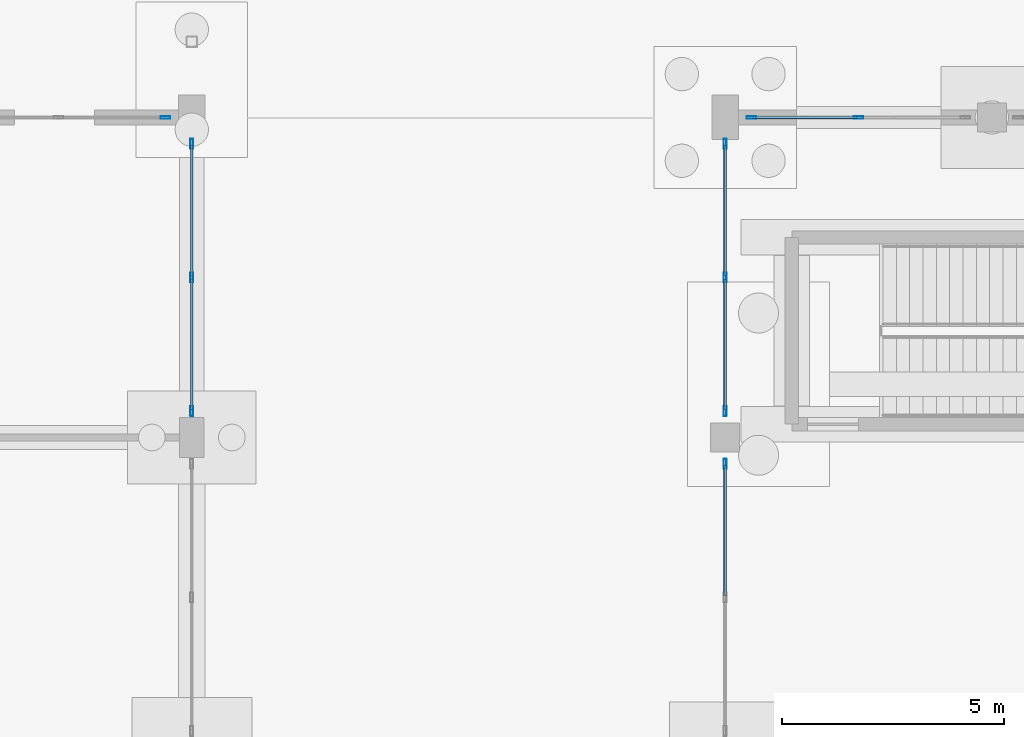
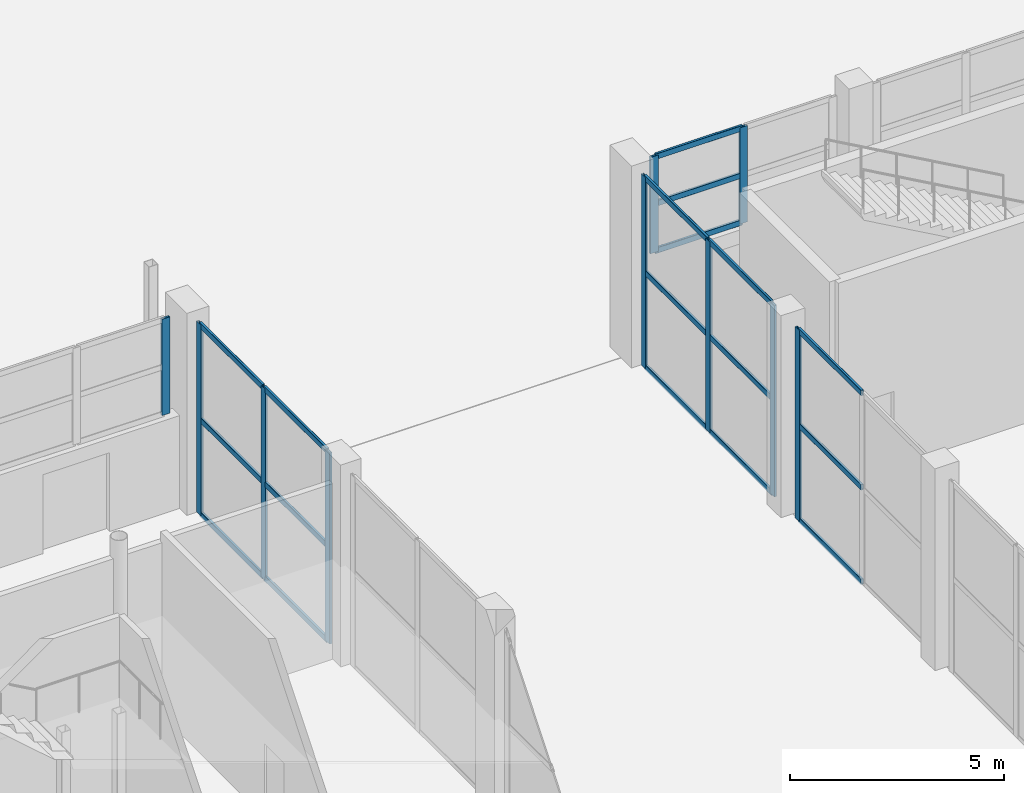
# One storey, part 58 of 103: 28 members, 5 elements without a shape of their own.
"""IFC4 building model written with IfcOpenShell, lengths in metres."""

import ifcopenshell
import ifcopenshell.guid

model = None  # the IFC model being written
_history = None  # IfcOwnerHistory: only IFC2X3 demands one
_inside = {}  # id of a spatial element -> (the spatial element, [elements in it])
_under = {}  # id of a project, library or spatial element -> (it, [spatial elements below it])
_declared = {}  # id of a project -> (the project, [libraries it declares])
_typed = {}  # id of a type object -> (the type object, [elements of that type])
_made_of = {}  # id of a material, layer set ... -> (it, [elements and type objects made of it])


def new_model(schema):
    """Start an empty IFC model of exactly this schema.

    Asked for "IFC4X3", IfcOpenShell would pick the latest addendum, in which some entities
    have other attributes; the version numbers below select the first issue.
    IFC2X3 requires an IfcOwnerHistory on every rooted entity: one is made here for all.
    """
    global model, _history
    if schema == "IFC4X3":
        model = ifcopenshell.file(schema_version=(4, 3, 0, 0))
    else:
        model = ifcopenshell.file(schema=schema)
    _inside.clear()
    _under.clear()
    _declared.clear()
    _typed.clear()
    _made_of.clear()
    _history = None
    if model.schema == "IFC2X3":
        org = make("IfcOrganization", Name="unknown")
        user = make(
            "IfcPersonAndOrganization",
            ThePerson=make("IfcPerson", FamilyName="unknown"),
            TheOrganization=org,
        )
        app = make(
            "IfcApplication",
            ApplicationDeveloper=org,
            Version="unknown",
            ApplicationFullName="unknown",
            ApplicationIdentifier="unknown",
        )
        _history = make(
            "IfcOwnerHistory",
            OwningUser=user,
            OwningApplication=app,
            ChangeAction="ADDED",
            CreationDate=0,
        )
    return model


def make(cls, **values):
    """One entity of the class cls with the attributes given. An attribute that is None is left unset."""
    return model.create_entity(
        cls, **{name: value for name, value in values.items() if value is not None}
    )


def rooted(cls, **values):
    """An entity with a GlobalId (a new one), such as an element, a storey or a relation."""
    return make(cls, GlobalId=ifcopenshell.guid.new(), OwnerHistory=_history, **values)


def si_unit(unit_type, name, prefix=None):
    """IfcSIUnit, for example si_unit("LENGTHUNIT", "METRE", prefix="MILLI")."""
    return make("IfcSIUnit", UnitType=unit_type, Prefix=prefix, Name=name)


def assignment(units):
    """IfcUnitAssignment: the units of a project."""
    return None if units is None else make("IfcUnitAssignment", Units=units)


def point(xyz):
    """IfcCartesianPoint."""
    return None if xyz is None else make("IfcCartesianPoint", Coordinates=xyz)


def direction(xyz):
    """IfcDirection."""
    return None if xyz is None else make("IfcDirection", DirectionRatios=xyz)


def frame(location, z_axis=None, x_axis=None):
    """IfcAxis2Placement3D, a coordinate frame: its origin and axes. An axis left out is left unset."""
    return make(
        "IfcAxis2Placement3D",
        Location=point(location),
        Axis=direction(z_axis),
        RefDirection=direction(x_axis),
    )


def frame_2d(location, x_axis=None):
    """IfcAxis2Placement2D, a coordinate frame in the plane: its origin and x axis."""
    return make(
        "IfcAxis2Placement2D", Location=point(location), RefDirection=direction(x_axis)
    )


def origin():
    """The frame at (0, 0, 0) with its axes left unset."""
    return frame((0.0, 0.0, 0.0))


def origin_2d():
    """The frame at (0, 0) in the plane with its x axis left unset."""
    return frame_2d((0.0, 0.0))


def place(relative_to, where):
    """IfcLocalPlacement: puts the frame where relative to a parent placement (None: the world)."""
    return make(
        "IfcLocalPlacement", PlacementRelTo=relative_to, RelativePlacement=where
    )


def context(
    kind, dimensions, precision=None, world=None, true_north=None, identifier=None
):
    """IfcGeometricRepresentationContext, for example the 3D "Model" context."""
    return make(
        "IfcGeometricRepresentationContext",
        ContextIdentifier=identifier,
        ContextType=kind,
        CoordinateSpaceDimension=dimensions,
        Precision=precision,
        WorldCoordinateSystem=world,
        TrueNorth=true_north,
    )


def subcontext(parent, identifier, kind, view, scale=None):
    """IfcGeometricRepresentationSubContext, for example "Body" below "Model"."""
    return make(
        "IfcGeometricRepresentationSubContext",
        ContextIdentifier=identifier,
        ContextType=kind,
        ParentContext=parent,
        TargetScale=scale,
        TargetView=view,
    )


def project(units=None, contexts=None):
    """IfcProject with its units and contexts."""
    return rooted(
        "IfcProject",
        Name="project",
        RepresentationContexts=contexts,
        UnitsInContext=assignment(units),
    )


def spatial(cls, under=None, at=None, **own):
    """A site, building, storey or space (cls), placed at a placement, below another one or the project."""
    s = rooted(cls, ObjectPlacement=at, **own)
    if under is not None:
        _under.setdefault(under.id(), (under, []))[1].append(s)
    return s


def profile(cls, at=None, kind="AREA", **sizes):
    """A parametric profile (cls). Its sizes go by their IFC names, for example OverallWidth=200.0."""
    return make(cls, ProfileType=kind, Position=at, **sizes)


def hollow_rectangle(**sizes):
    """IfcRectangleHollowProfileDef."""
    return profile("IfcRectangleHollowProfileDef", **sizes)


def extrude(swept, where, along, depth):
    """IfcExtrudedAreaSolid: the profile swept, set in the frame where, extruded along a direction by depth."""
    return make(
        "IfcExtrudedAreaSolid",
        SweptArea=swept,
        Position=where,
        ExtrudedDirection=direction(along),
        Depth=depth,
    )


def shape(context_of_items, identifier, shape_type, items):
    """IfcShapeRepresentation: the items that make up one representation, for example the "Body"."""
    return make(
        "IfcShapeRepresentation",
        ContextOfItems=context_of_items,
        RepresentationIdentifier=identifier,
        RepresentationType=shape_type,
        Items=items,
    )


def material(Name=None, Category=None):
    """IfcMaterial."""
    return make("IfcMaterial", Name=Name, Category=Category)


def layer(
    of_material, thickness, ventilated=None, Name=None, Category=None, Priority=None
):
    """IfcMaterialLayer: one layer of a wall or slab, of a material (None: an air gap)."""
    return make(
        "IfcMaterialLayer",
        Material=of_material,
        LayerThickness=thickness,
        IsVentilated=ventilated,
        Name=Name,
        Category=Category,
        Priority=Priority,
    )


def layer_set(layers, Name=None):
    """IfcMaterialLayerSet."""
    return make("IfcMaterialLayerSet", MaterialLayers=layers, LayerSetName=Name)


def material_profile(
    of_material, cross_section, Name=None, Category=None, Priority=None
):
    """IfcMaterialProfile: a cross section and its material."""
    return make(
        "IfcMaterialProfile",
        Name=Name,
        Material=of_material,
        Profile=cross_section,
        Priority=Priority,
        Category=Category,
    )


def profile_set(profiles, Name=None, composite=None):
    """IfcMaterialProfileSet."""
    return make(
        "IfcMaterialProfileSet",
        Name=Name,
        MaterialProfiles=profiles,
        CompositeProfile=composite,
    )


def made_of(thing, what):
    """Note that an element or type object is made of a material, layer set ...; save() writes the relation."""
    if what is not None:
        _made_of.setdefault(what.id(), (what, []))[1].append(thing)
    return thing


def type_object(cls, material=None, **own):
    """A type object (cls), such as IfcWallType, which elements share."""
    return made_of(rooted(cls, **own), material)


def element(
    cls,
    number,
    at=None,
    inside=None,
    cuts=None,
    type_object=None,
    material=None,
    context=None,
    identifier="Body",
    shape_type=None,
    held_by="IfcProductDefinitionShape",
    body=None,
    shapes=None,
    **own,
):
    """One element of the class cls, such as IfcWall. Its Tag is "e" and its number.

    at: its placement. inside: the storey or other place that contains it. cuts: it is an
    opening in that element (IfcRelVoidsElement). A single representation is given by context,
    identifier, shape_type and body (its items); several are given by shapes. held_by: the class
    of the entity that holds the representations. save() writes the other relations.
    """
    e = rooted(cls, Tag="e%d" % number, ObjectPlacement=at, **own)
    if body is not None:
        shapes = [shape(context, identifier, shape_type, body)]
    if shapes is not None:
        e.Representation = make(held_by, Representations=shapes)
    if inside is not None:
        _inside.setdefault(inside.id(), (inside, []))[1].append(e)
    if cuts is not None:
        rooted(
            "IfcRelVoidsElement", RelatingBuildingElement=cuts, RelatedOpeningElement=e
        )
    if type_object is not None:
        _typed.setdefault(type_object.id(), (type_object, []))[1].append(e)
    return made_of(e, material)


def aggregate(whole, parts):
    """IfcRelAggregates: a whole, such as a stair, and the parts it consists of."""
    return rooted("IfcRelAggregates", RelatingObject=whole, RelatedObjects=parts)


def save(model, path):
    """Write the relations noted so far, then the file.

    IfcRelAggregates (storeys below a building ...), IfcRelContainedInSpatialStructure (elements
    in a storey), IfcRelDefinesByType, IfcRelAssociatesMaterial and IfcRelDeclares: one each for
    every whole, place, type object, material and project.
    """
    for whole, parts in _under.values():
        aggregate(whole, parts)
    for where, things in _inside.values():
        rooted(
            "IfcRelContainedInSpatialStructure",
            RelatedElements=things,
            RelatingStructure=where,
        )
    for kind, things in _typed.values():
        rooted("IfcRelDefinesByType", RelatedObjects=things, RelatingType=kind)
    for what, things in _made_of.values():
        rooted("IfcRelAssociatesMaterial", RelatedObjects=things, RelatingMaterial=what)
    for by, libraries in _declared.values():
        rooted("IfcRelDeclares", RelatingContext=by, RelatedDefinitions=libraries)
    model.write(path)


model = new_model("IFC4")

# Units and contexts
model_context = context("Model", 3, precision=1e-05, world=origin(), true_north=direction((0.0, 1.0)))
body_context = subcontext(model_context, "Body", "Model", "MODEL_VIEW")
ifc_project = project(units=[si_unit("LENGTHUNIT", "METRE"), si_unit("AREAUNIT", "SQUARE_METRE"), si_unit("VOLUMEUNIT", "CUBIC_METRE"), si_unit("PLANEANGLEUNIT", "RADIAN"), si_unit("MASSUNIT", "GRAM", prefix="KILO")], contexts=[model_context])

# Site, building, storey
site_placement = place(None, origin())
site = spatial("IfcSite", under=ifc_project, at=site_placement, CompositionType="ELEMENT")
building_placement = place(site_placement, origin())
building = spatial("IfcBuilding", under=site, at=building_placement, Name="Dunvalen Ferry Terminal", CompositionType="ELEMENT")
storey_placement = place(building_placement, origin())
storey = spatial("IfcBuildingStorey", under=building, at=storey_placement, Name="L00", CompositionType="ELEMENT", Elevation=0.0)

# Curtain wall, member
ifc_material_1 = material(Name="Anodised marine aluminium and solar-control glazing", Category="aluminium")
ifc_layer_1 = layer(ifc_material_1, 0.219970703125, Name="Anodised marine aluminium and solar-control glazing")
ifc_layer_set_1 = layer_set([ifc_layer_1], Name="Anodised marine aluminium and solar-control glazing")
curtain_wall_type_1 = type_object("IfcCurtainWallType", Name="ENV-CW-SYS-01", PredefinedType="NOTDEFINED", material=ifc_layer_set_1)
curtain_wall_1_placement = place(storey_placement, origin())
curtain_wall_1 = element("IfcCurtainWall", 1, at=curtain_wall_1_placement, inside=storey, type_object=curtain_wall_type_1, Name="L00 Curtain Wall CW-V1N-L00-14", PredefinedType="NOTDEFINED")
ifc_material_2 = material(Name="Anodised marine aluminium EN AW-6063 T6", Category="aluminium")
ifc_material_profile_1 = material_profile(ifc_material_2, hollow_rectangle(XDim=0.06494140625, YDim=0.219970703125, WallThickness=0.00390625, InnerFilletRadius=0.00390625, OuterFilletRadius=0.008056640625, at=origin_2d()), Name="Anodised marine aluminium EN AW-6063 T6")
ifc_profile_set_1 = profile_set([ifc_material_profile_1], Name="Anodised marine aluminium EN AW-6063 T6")
member_type_1 = type_object("IfcMemberType", Name="ENV-CW-MUL-1", PredefinedType="MULLION", material=ifc_profile_set_1)
member_1_placement = place(storey_placement, frame((95.407470703125, 86.39990234375, 2.699951171875), z_axis=(0.0, 0.0, 1.0), x_axis=(0.0, 1.0, 0.0)))
member_1 = element("IfcMember", 2, at=member_1_placement, type_object=member_type_1, Name="CW-01 mullion 3", PredefinedType="MULLION", context=body_context, shape_type="SweptSolid", body=[
    extrude(hollow_rectangle(XDim=0.06494140625, YDim=0.219970703125, WallThickness=0.00390625, InnerFilletRadius=0.00390625, OuterFilletRadius=0.008056640625, at=origin_2d()), origin(), (0.0, 0.0, 1.0), 2.75),
])
aggregate(curtain_wall_1, [member_1])

# Curtain wall, members
ifc_layer_2 = layer(ifc_material_1, 0.219970703125, Name="Anodised marine aluminium and solar-control glazing")
ifc_layer_set_2 = layer_set([ifc_layer_2], Name="Anodised marine aluminium and solar-control glazing")
curtain_wall_type_2 = type_object("IfcCurtainWallType", Name="ENV-CW-SYS-03", PredefinedType="NOTDEFINED", material=ifc_layer_set_2)
curtain_wall_2_placement = place(storey_placement, origin())
curtain_wall_2 = element("IfcCurtainWall", 3, at=curtain_wall_2_placement, inside=storey, type_object=curtain_wall_type_2, Name="L00 Curtain Wall CW-V1E-L00-05", PredefinedType="NOTDEFINED")
member_2_placement = place(storey_placement, frame((96.0, 79.79248046875, 0.0), z_axis=(0.0, 0.0, 1.0), x_axis=(-1.0, 0.0, 0.0)))
member_2 = element("IfcMember", 4, at=member_2_placement, type_object=member_type_1, Name="CW-03 mullion 1", PredefinedType="MULLION", context=body_context, shape_type="SweptSolid", body=[
    extrude(hollow_rectangle(XDim=0.06494140625, YDim=0.219970703125, WallThickness=0.00390625, InnerFilletRadius=0.00390625, OuterFilletRadius=0.008056640625, at=origin_2d()), origin(), (0.0, 0.0, 1.0), 5.449951171875),
])
member_3_placement = place(storey_placement, frame((96.0, 82.800048828125, 0.0), z_axis=(0.0, 0.0, 1.0), x_axis=(-1.0, 0.0, 0.0)))
member_3 = element("IfcMember", 5, at=member_3_placement, type_object=member_type_1, Name="CW-03 mullion 2", PredefinedType="MULLION", context=body_context, shape_type="SweptSolid", body=[
    extrude(hollow_rectangle(XDim=0.06494140625, YDim=0.219970703125, WallThickness=0.00390625, InnerFilletRadius=0.00390625, OuterFilletRadius=0.008056640625, at=origin_2d()), origin(), (0.0, 0.0, 1.0), 5.449951171875),
])
member_4_placement = place(storey_placement, frame((96.0, 85.8076171875, 0.0), z_axis=(0.0, 0.0, 1.0), x_axis=(-1.0, 0.0, 0.0)))
member_4 = element("IfcMember", 6, at=member_4_placement, type_object=member_type_1, Name="CW-03 mullion 3", PredefinedType="MULLION", context=body_context, shape_type="SweptSolid", body=[
    extrude(hollow_rectangle(XDim=0.06494140625, YDim=0.219970703125, WallThickness=0.00390625, InnerFilletRadius=0.00390625, OuterFilletRadius=0.008056640625, at=origin_2d()), origin(), (0.0, 0.0, 1.0), 5.449951171875),
])

curtain_wall_3_placement = place(storey_placement, origin())
curtain_wall_3 = element("IfcCurtainWall", 7, at=curtain_wall_3_placement, inside=storey, type_object=curtain_wall_type_1, Name="L00 Curtain Wall CW-V2N-L00-01", PredefinedType="NOTDEFINED")
member_5_placement = place(storey_placement, frame((108.592529296875, 86.39990234375, 2.699951171875), z_axis=(0.0, 0.0, 1.0), x_axis=(0.0, 1.0, 0.0)))
member_5 = element("IfcMember", 8, at=member_5_placement, type_object=member_type_1, Name="CW-01 mullion 1", PredefinedType="MULLION", context=body_context, shape_type="SweptSolid", body=[
    extrude(hollow_rectangle(XDim=0.06494140625, YDim=0.219970703125, WallThickness=0.00390625, InnerFilletRadius=0.00390625, OuterFilletRadius=0.008056640625, at=origin_2d()), origin(), (0.0, 0.0, 1.0), 2.75),
])
member_6_placement = place(storey_placement, frame((111.0, 86.39990234375, 2.699951171875), z_axis=(0.0, 0.0, 1.0), x_axis=(0.0, 1.0, 0.0)))
member_6 = element("IfcMember", 9, at=member_6_placement, type_object=member_type_1, Name="CW-01 mullion 2", PredefinedType="MULLION", context=body_context, shape_type="SweptSolid", body=[
    extrude(hollow_rectangle(XDim=0.06494140625, YDim=0.219970703125, WallThickness=0.00390625, InnerFilletRadius=0.00390625, OuterFilletRadius=0.008056640625, at=origin_2d()), origin(), (0.0, 0.0, 1.0), 2.75),
])

# Curtain wall, member
curtain_wall_4_placement = place(storey_placement, origin())
curtain_wall_4 = element("IfcCurtainWall", 10, at=curtain_wall_4_placement, inside=storey, type_object=curtain_wall_type_2, Name="L00 Curtain Wall CW-V2W-L00-3", PredefinedType="NOTDEFINED")
member_7_placement = place(storey_placement, frame((108.0, 78.607421875, 0.0), z_axis=(0.0, 0.0, 1.0), x_axis=(-1.0, 0.0, 0.0)))
member_7 = element("IfcMember", 11, at=member_7_placement, type_object=member_type_1, Name="CW-03 mullion 3", PredefinedType="MULLION", context=body_context, shape_type="SweptSolid", body=[
    extrude(hollow_rectangle(XDim=0.06494140625, YDim=0.219970703125, WallThickness=0.00390625, InnerFilletRadius=0.00390625, OuterFilletRadius=0.008056640625, at=origin_2d()), origin(), (0.0, 0.0, 1.0), 5.449951171875),
])

# Curtain wall, members
curtain_wall_5_placement = place(storey_placement, origin())
curtain_wall_5 = element("IfcCurtainWall", 12, at=curtain_wall_5_placement, inside=storey, type_object=curtain_wall_type_2, Name="L00 Curtain Wall CW-V2W-L00-4", PredefinedType="NOTDEFINED")
member_8_placement = place(storey_placement, frame((108.0, 79.79248046875, 0.0), z_axis=(0.0, 0.0, 1.0), x_axis=(-1.0, 0.0, 0.0)))
member_8 = element("IfcMember", 13, at=member_8_placement, type_object=member_type_1, Name="CW-03 mullion 1", PredefinedType="MULLION", context=body_context, shape_type="SweptSolid", body=[
    extrude(hollow_rectangle(XDim=0.06494140625, YDim=0.219970703125, WallThickness=0.00390625, InnerFilletRadius=0.00390625, OuterFilletRadius=0.008056640625, at=origin_2d()), origin(), (0.0, 0.0, 1.0), 5.449951171875),
])
member_9_placement = place(storey_placement, frame((108.0, 82.800048828125, 0.0), z_axis=(0.0, 0.0, 1.0), x_axis=(-1.0, 0.0, 0.0)))
member_9 = element("IfcMember", 14, at=member_9_placement, type_object=member_type_1, Name="CW-03 mullion 2", PredefinedType="MULLION", context=body_context, shape_type="SweptSolid", body=[
    extrude(hollow_rectangle(XDim=0.06494140625, YDim=0.219970703125, WallThickness=0.00390625, InnerFilletRadius=0.00390625, OuterFilletRadius=0.008056640625, at=origin_2d()), origin(), (0.0, 0.0, 1.0), 5.449951171875),
])
member_10_placement = place(storey_placement, frame((108.0, 85.8076171875, 0.0), z_axis=(0.0, 0.0, 1.0), x_axis=(-1.0, 0.0, 0.0)))
member_10 = element("IfcMember", 15, at=member_10_placement, type_object=member_type_1, Name="CW-03 mullion 3", PredefinedType="MULLION", context=body_context, shape_type="SweptSolid", body=[
    extrude(hollow_rectangle(XDim=0.06494140625, YDim=0.219970703125, WallThickness=0.00390625, InnerFilletRadius=0.00390625, OuterFilletRadius=0.008056640625, at=origin_2d()), origin(), (0.0, 0.0, 1.0), 5.449951171875),
])

# Member
ifc_material_profile_2 = material_profile(ifc_material_2, hollow_rectangle(XDim=0.06494140625, YDim=0.159912109375, WallThickness=0.00341796875, InnerFilletRadius=0.00341796875, OuterFilletRadius=0.007080078125, at=origin_2d()), Name="Anodised marine aluminium EN AW-6063 T6")
ifc_profile_set_2 = profile_set([ifc_material_profile_2], Name="Anodised marine aluminium EN AW-6063 T6")
member_type_2 = type_object("IfcMemberType", Name="ENV-CW-TRN-1", PredefinedType="USERDEFINED", material=ifc_profile_set_2)
member_11_placement = place(storey_placement, frame((96.0, 79.824951171875, 0.032470703125), z_axis=(0.0, 1.0, 0.0), x_axis=(-1.0, 0.0, 0.0)))
member_11 = element("IfcMember", 16, at=member_11_placement, type_object=member_type_2, Name="CW-03 transom 1.1", ObjectType="TRANSOM", PredefinedType="USERDEFINED", context=body_context, shape_type="SweptSolid", body=[
    extrude(hollow_rectangle(XDim=0.06494140625, YDim=0.159912109375, WallThickness=0.00341796875, InnerFilletRadius=0.00341796875, OuterFilletRadius=0.007080078125, at=origin_2d()), origin(), (0.0, 0.0, 1.0), 2.942626953125),
])

member_12_placement = place(storey_placement, frame((96.0, 79.824951171875, 2.72509765625), z_axis=(0.0, 1.0, 0.0), x_axis=(-1.0, 0.0, 0.0)))
member_12 = element("IfcMember", 17, at=member_12_placement, type_object=member_type_2, Name="CW-03 transom 1.2", ObjectType="TRANSOM", PredefinedType="USERDEFINED", context=body_context, shape_type="SweptSolid", body=[
    extrude(hollow_rectangle(XDim=0.06494140625, YDim=0.159912109375, WallThickness=0.00341796875, InnerFilletRadius=0.00341796875, OuterFilletRadius=0.007080078125, at=origin_2d()), origin(), (0.0, 0.0, 1.0), 2.942626953125),
])

member_13_placement = place(storey_placement, frame((96.0, 79.824951171875, 5.41748046875), z_axis=(0.0, 1.0, 0.0), x_axis=(-1.0, 0.0, 0.0)))
member_13 = element("IfcMember", 18, at=member_13_placement, type_object=member_type_2, Name="CW-03 transom 1.3", ObjectType="TRANSOM", PredefinedType="USERDEFINED", context=body_context, shape_type="SweptSolid", body=[
    extrude(hollow_rectangle(XDim=0.06494140625, YDim=0.159912109375, WallThickness=0.00341796875, InnerFilletRadius=0.00341796875, OuterFilletRadius=0.007080078125, at=origin_2d()), origin(), (0.0, 0.0, 1.0), 2.942626953125),
])

member_14_placement = place(storey_placement, frame((96.0, 82.83251953125, 0.032470703125), z_axis=(0.0, 1.0, 0.0), x_axis=(-1.0, 0.0, 0.0)))
member_14 = element("IfcMember", 19, at=member_14_placement, type_object=member_type_2, Name="CW-03 transom 2.1", ObjectType="TRANSOM", PredefinedType="USERDEFINED", context=body_context, shape_type="SweptSolid", body=[
    extrude(hollow_rectangle(XDim=0.06494140625, YDim=0.159912109375, WallThickness=0.00341796875, InnerFilletRadius=0.00341796875, OuterFilletRadius=0.007080078125, at=origin_2d()), origin(), (0.0, 0.0, 1.0), 2.9423828125),
])

member_15_placement = place(storey_placement, frame((96.0, 82.83251953125, 2.72509765625), z_axis=(0.0, 1.0, 0.0), x_axis=(-1.0, 0.0, 0.0)))
member_15 = element("IfcMember", 20, at=member_15_placement, type_object=member_type_2, Name="CW-03 transom 2.2", ObjectType="TRANSOM", PredefinedType="USERDEFINED", context=body_context, shape_type="SweptSolid", body=[
    extrude(hollow_rectangle(XDim=0.06494140625, YDim=0.159912109375, WallThickness=0.00341796875, InnerFilletRadius=0.00341796875, OuterFilletRadius=0.007080078125, at=origin_2d()), origin(), (0.0, 0.0, 1.0), 2.9423828125),
])

member_16_placement = place(storey_placement, frame((96.0, 82.83251953125, 5.41748046875), z_axis=(0.0, 1.0, 0.0), x_axis=(-1.0, 0.0, 0.0)))
member_16 = element("IfcMember", 21, at=member_16_placement, type_object=member_type_2, Name="CW-03 transom 2.3", ObjectType="TRANSOM", PredefinedType="USERDEFINED", context=body_context, shape_type="SweptSolid", body=[
    extrude(hollow_rectangle(XDim=0.06494140625, YDim=0.159912109375, WallThickness=0.00341796875, InnerFilletRadius=0.00341796875, OuterFilletRadius=0.007080078125, at=origin_2d()), origin(), (0.0, 0.0, 1.0), 2.9423828125),
])

aggregate(curtain_wall_2, [member_2, member_3, member_4, member_11, member_12, member_13, member_14, member_15, member_16])

member_17_placement = place(storey_placement, frame((108.625, 86.39990234375, 2.732421875), z_axis=(1.0, 0.0, 0.0), x_axis=(0.0, 1.0, 0.0)))
member_17 = element("IfcMember", 22, at=member_17_placement, type_object=member_type_2, Name="CW-01 transom 1.1", ObjectType="TRANSOM", PredefinedType="USERDEFINED", context=body_context, shape_type="SweptSolid", body=[
    extrude(hollow_rectangle(XDim=0.06494140625, YDim=0.159912109375, WallThickness=0.00341796875, InnerFilletRadius=0.00341796875, OuterFilletRadius=0.007080078125, at=origin_2d()), origin(), (0.0, 0.0, 1.0), 2.342529296875),
])

member_18_placement = place(storey_placement, frame((108.625, 86.39990234375, 4.074951171875), z_axis=(1.0, 0.0, 0.0), x_axis=(0.0, 1.0, 0.0)))
member_18 = element("IfcMember", 23, at=member_18_placement, type_object=member_type_2, Name="CW-01 transom 1.2", ObjectType="TRANSOM", PredefinedType="USERDEFINED", context=body_context, shape_type="SweptSolid", body=[
    extrude(hollow_rectangle(XDim=0.06494140625, YDim=0.159912109375, WallThickness=0.00341796875, InnerFilletRadius=0.00341796875, OuterFilletRadius=0.007080078125, at=origin_2d()), origin(), (0.0, 0.0, 1.0), 2.342529296875),
])

member_19_placement = place(storey_placement, frame((108.625, 86.39990234375, 5.41748046875), z_axis=(1.0, 0.0, 0.0), x_axis=(0.0, 1.0, 0.0)))
member_19 = element("IfcMember", 24, at=member_19_placement, type_object=member_type_2, Name="CW-01 transom 1.3", ObjectType="TRANSOM", PredefinedType="USERDEFINED", context=body_context, shape_type="SweptSolid", body=[
    extrude(hollow_rectangle(XDim=0.06494140625, YDim=0.159912109375, WallThickness=0.00341796875, InnerFilletRadius=0.00341796875, OuterFilletRadius=0.007080078125, at=origin_2d()), origin(), (0.0, 0.0, 1.0), 2.342529296875),
])

aggregate(curtain_wall_3, [member_5, member_6, member_17, member_18, member_19])

member_20_placement = place(storey_placement, frame((108.0, 75.632568359375, 0.032470703125), z_axis=(0.0, 1.0, 0.0), x_axis=(-1.0, 0.0, 0.0)))
member_20 = element("IfcMember", 25, at=member_20_placement, type_object=member_type_2, Name="CW-03 transom 2.1", ObjectType="TRANSOM", PredefinedType="USERDEFINED", context=body_context, shape_type="SweptSolid", body=[
    extrude(hollow_rectangle(XDim=0.06494140625, YDim=0.159912109375, WallThickness=0.00341796875, InnerFilletRadius=0.00341796875, OuterFilletRadius=0.007080078125, at=origin_2d()), origin(), (0.0, 0.0, 1.0), 2.9423828125),
])

member_21_placement = place(storey_placement, frame((108.0, 75.632568359375, 2.72509765625), z_axis=(0.0, 1.0, 0.0), x_axis=(-1.0, 0.0, 0.0)))
member_21 = element("IfcMember", 26, at=member_21_placement, type_object=member_type_2, Name="CW-03 transom 2.2", ObjectType="TRANSOM", PredefinedType="USERDEFINED", context=body_context, shape_type="SweptSolid", body=[
    extrude(hollow_rectangle(XDim=0.06494140625, YDim=0.159912109375, WallThickness=0.00341796875, InnerFilletRadius=0.00341796875, OuterFilletRadius=0.007080078125, at=origin_2d()), origin(), (0.0, 0.0, 1.0), 2.9423828125),
])

member_22_placement = place(storey_placement, frame((108.0, 75.632568359375, 5.41748046875), z_axis=(0.0, 1.0, 0.0), x_axis=(-1.0, 0.0, 0.0)))
member_22 = element("IfcMember", 27, at=member_22_placement, type_object=member_type_2, Name="CW-03 transom 2.3", ObjectType="TRANSOM", PredefinedType="USERDEFINED", context=body_context, shape_type="SweptSolid", body=[
    extrude(hollow_rectangle(XDim=0.06494140625, YDim=0.159912109375, WallThickness=0.00341796875, InnerFilletRadius=0.00341796875, OuterFilletRadius=0.007080078125, at=origin_2d()), origin(), (0.0, 0.0, 1.0), 2.9423828125),
])

aggregate(curtain_wall_4, [member_7, member_20, member_21, member_22])

member_23_placement = place(storey_placement, frame((108.0, 79.824951171875, 0.032470703125), z_axis=(0.0, 1.0, 0.0), x_axis=(-1.0, 0.0, 0.0)))
member_23 = element("IfcMember", 28, at=member_23_placement, type_object=member_type_2, Name="CW-03 transom 1.1", ObjectType="TRANSOM", PredefinedType="USERDEFINED", context=body_context, shape_type="SweptSolid", body=[
    extrude(hollow_rectangle(XDim=0.06494140625, YDim=0.159912109375, WallThickness=0.00341796875, InnerFilletRadius=0.00341796875, OuterFilletRadius=0.007080078125, at=origin_2d()), origin(), (0.0, 0.0, 1.0), 2.942626953125),
])

member_24_placement = place(storey_placement, frame((108.0, 79.824951171875, 2.72509765625), z_axis=(0.0, 1.0, 0.0), x_axis=(-1.0, 0.0, 0.0)))
member_24 = element("IfcMember", 29, at=member_24_placement, type_object=member_type_2, Name="CW-03 transom 1.2", ObjectType="TRANSOM", PredefinedType="USERDEFINED", context=body_context, shape_type="SweptSolid", body=[
    extrude(hollow_rectangle(XDim=0.06494140625, YDim=0.159912109375, WallThickness=0.00341796875, InnerFilletRadius=0.00341796875, OuterFilletRadius=0.007080078125, at=origin_2d()), origin(), (0.0, 0.0, 1.0), 2.942626953125),
])

member_25_placement = place(storey_placement, frame((108.0, 79.824951171875, 5.41748046875), z_axis=(0.0, 1.0, 0.0), x_axis=(-1.0, 0.0, 0.0)))
member_25 = element("IfcMember", 30, at=member_25_placement, type_object=member_type_2, Name="CW-03 transom 1.3", ObjectType="TRANSOM", PredefinedType="USERDEFINED", context=body_context, shape_type="SweptSolid", body=[
    extrude(hollow_rectangle(XDim=0.06494140625, YDim=0.159912109375, WallThickness=0.00341796875, InnerFilletRadius=0.00341796875, OuterFilletRadius=0.007080078125, at=origin_2d()), origin(), (0.0, 0.0, 1.0), 2.942626953125),
])

member_26_placement = place(storey_placement, frame((108.0, 82.83251953125, 0.032470703125), z_axis=(0.0, 1.0, 0.0), x_axis=(-1.0, 0.0, 0.0)))
member_26 = element("IfcMember", 31, at=member_26_placement, type_object=member_type_2, Name="CW-03 transom 2.1", ObjectType="TRANSOM", PredefinedType="USERDEFINED", context=body_context, shape_type="SweptSolid", body=[
    extrude(hollow_rectangle(XDim=0.06494140625, YDim=0.159912109375, WallThickness=0.00341796875, InnerFilletRadius=0.00341796875, OuterFilletRadius=0.007080078125, at=origin_2d()), origin(), (0.0, 0.0, 1.0), 2.9423828125),
])

member_27_placement = place(storey_placement, frame((108.0, 82.83251953125, 2.72509765625), z_axis=(0.0, 1.0, 0.0), x_axis=(-1.0, 0.0, 0.0)))
member_27 = element("IfcMember", 32, at=member_27_placement, type_object=member_type_2, Name="CW-03 transom 2.2", ObjectType="TRANSOM", PredefinedType="USERDEFINED", context=body_context, shape_type="SweptSolid", body=[
    extrude(hollow_rectangle(XDim=0.06494140625, YDim=0.159912109375, WallThickness=0.00341796875, InnerFilletRadius=0.00341796875, OuterFilletRadius=0.007080078125, at=origin_2d()), origin(), (0.0, 0.0, 1.0), 2.9423828125),
])

member_28_placement = place(storey_placement, frame((108.0, 82.83251953125, 5.41748046875), z_axis=(0.0, 1.0, 0.0), x_axis=(-1.0, 0.0, 0.0)))
member_28 = element("IfcMember", 33, at=member_28_placement, type_object=member_type_2, Name="CW-03 transom 2.3", ObjectType="TRANSOM", PredefinedType="USERDEFINED", context=body_context, shape_type="SweptSolid", body=[
    extrude(hollow_rectangle(XDim=0.06494140625, YDim=0.159912109375, WallThickness=0.00341796875, InnerFilletRadius=0.00341796875, OuterFilletRadius=0.007080078125, at=origin_2d()), origin(), (0.0, 0.0, 1.0), 2.9423828125),
])

aggregate(curtain_wall_5, [member_8, member_9, member_10, member_23, member_24, member_25, member_26, member_27, member_28])

save(model, "model.ifc")
